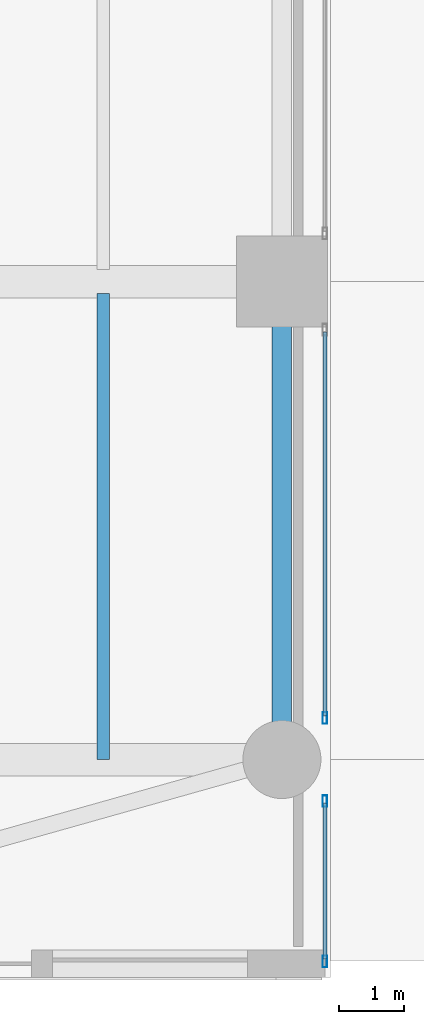
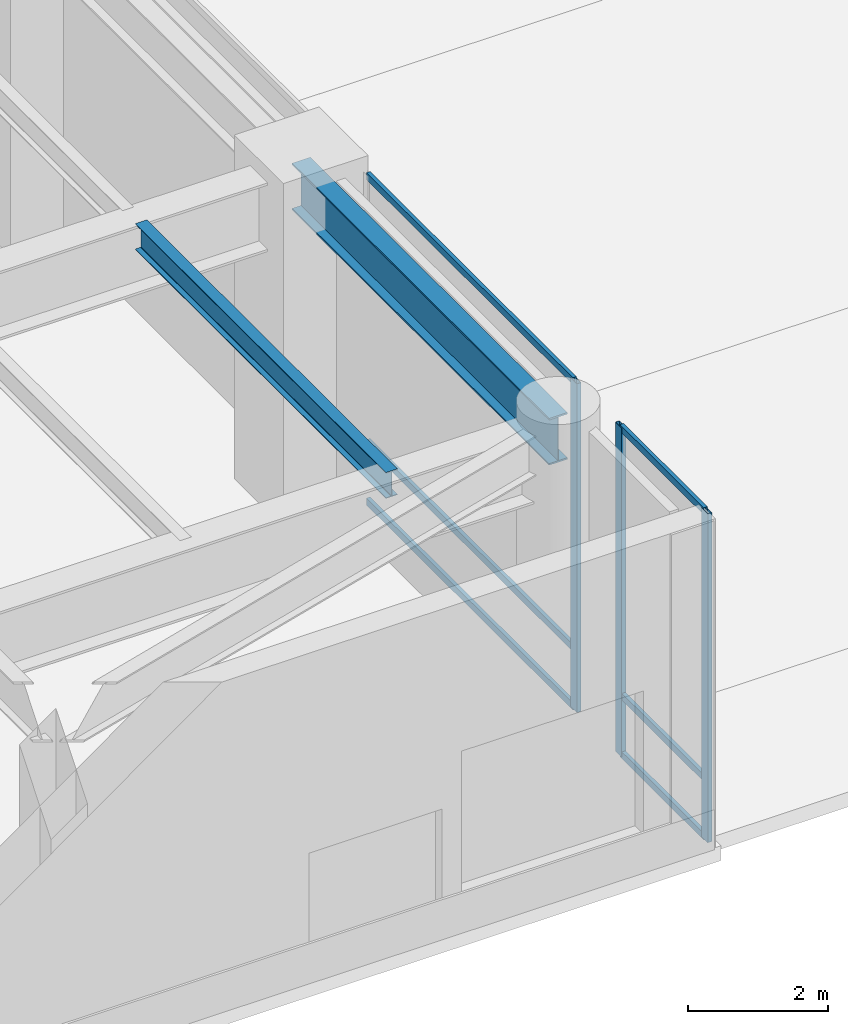
# One storey, part 2 of 28: 9 members, 2 beams, 2 elements without a shape of their own.
"""IFC4 building model written with IfcOpenShell, lengths in metres."""

from ifc_helpers import new_model, si_unit, direction, frame, origin, origin_2d, place, context, subcontext, project, spatial, hollow_rectangle, i_section, extrude, source, transform, mapped, material, layer, layer_set, material_profile, profile_set, type_object, type_shapes, element, aggregate, save


model = new_model("IFC4")

# Units and contexts
model_context = context("Model", 3, precision=1e-05, world=origin(), true_north=direction((0.0, 1.0)))
body_context = subcontext(model_context, "Body", "Model", "MODEL_VIEW")
ifc_project = project(units=[si_unit("LENGTHUNIT", "METRE"), si_unit("AREAUNIT", "SQUARE_METRE"), si_unit("VOLUMEUNIT", "CUBIC_METRE"), si_unit("PLANEANGLEUNIT", "RADIAN"), si_unit("MASSUNIT", "GRAM", prefix="KILO")], contexts=[model_context])

# Site, building, storey
site_placement = place(None, origin())
site = spatial("IfcSite", under=ifc_project, at=site_placement, CompositionType="ELEMENT")
building_placement = place(site_placement, origin())
building = spatial("IfcBuilding", under=site, at=building_placement, Name="Tolvann Quenvar Hotel", CompositionType="ELEMENT")
storey_placement = place(building_placement, origin())
storey = spatial("IfcBuildingStorey", under=building, at=storey_placement, Name="L00", CompositionType="ELEMENT", Elevation=0.0)

# Beams
ifc_material_1 = material(Name="Steel Grade 350", Category="steel")
ifc_material_profile_1 = material_profile(ifc_material_1, i_section(OverallWidth=0.300048828125, OverallDepth=0.81591796875, WebThickness=0.010009765625, FlangeThickness=0.028076171875, at=origin_2d()), Name="800WB192")
ifc_profile_set_1 = profile_set([ifc_material_profile_1], Name="Steel Grade 350")
beam_type_1 = type_object("IfcBeamType", Name="BM_GIRD_800WB192", PredefinedType="BEAM", material=ifc_profile_set_1)
shared_shape_1 = source(origin(), body_context, "Body", "SweptSolid", [
    extrude(i_section(OverallWidth=0.300048828125, OverallDepth=0.81591796875, WebThickness=0.010009765625, FlangeThickness=0.028076171875, at=origin_2d()), origin(), (0.0, 0.0, 1.0), 7.349853515625),
])
type_shapes(beam_type_1, [shared_shape_1])
beam_1_placement = place(storey_placement, frame((18.75, 0.85009765625, 5.33203125), z_axis=(0.0, 1.0, 0.0), x_axis=(-1.0, 0.0, 0.0)))
element("IfcBeam", 1, at=beam_1_placement, inside=storey, type_object=beam_type_1, Name="BM-L00-NS-APW-0", PredefinedType="BEAM", context=body_context, shape_type="MappedRepresentation", body=[
    mapped(shared_shape_1, transform((0.0, 0.0, 0.0), x_axis=(1.0, 0.0, 0.0), y_axis=(0.0, 1.0, 0.0), z_axis=(0.0, 0.0, 1.0), scale=1.0)),
])
ifc_material_profile_2 = material_profile(ifc_material_1, i_section(OverallWidth=0.18994140625, OverallDepth=0.4541015625, WebThickness=0.008544921875, FlangeThickness=0.0126953125, FilletRadius=0.011474609375, at=origin_2d()), Name="460UB67")
ifc_profile_set_2 = profile_set([ifc_material_profile_2], Name="Steel Grade 350")
beam_type_2 = type_object("IfcBeamType", Name="BM_JOIST_460UB67", PredefinedType="JOIST", material=ifc_profile_set_2)
shared_shape_2 = source(origin(), body_context, "Body", "SweptSolid", [
    extrude(i_section(OverallWidth=0.18994140625, OverallDepth=0.4541015625, WebThickness=0.008544921875, FlangeThickness=0.0126953125, FilletRadius=0.011474609375, at=origin_2d()), origin(), (0.0, 0.0, 1.0), 7.164794921875),
])
type_shapes(beam_type_2, [shared_shape_2])
beam_2_placement = place(storey_placement, frame((16.0, 0.85009765625, 5.512939453125), z_axis=(0.0, 1.0, 0.0), x_axis=(-1.0, 0.0, 0.0)))
element("IfcBeam", 2, at=beam_2_placement, inside=storey, type_object=beam_type_2, Name="BJ-L00-160-8", PredefinedType="JOIST", context=body_context, shape_type="MappedRepresentation", body=[
    mapped(shared_shape_2, transform((0.0, 0.0, 0.0), x_axis=(1.0, 0.0, 0.0), y_axis=(0.0, 1.0, 0.0), z_axis=(0.0, 0.0, 1.0), scale=1.0)),
])

# Curtain wall, members
ifc_material_2 = material(Name="Thermally broken anodised architectural aluminium 6063-T6 and laminated low-E glass", Category="aluminium")
ifc_layer = layer(ifc_material_2, 0.179931640625)
ifc_layer_set = layer_set([ifc_layer], Name="Thermally broken anodised architectural aluminium 6063-T6 and laminated low-E glass")
curtain_wall_type = type_object("IfcCurtainWallType", Name="CW_SYS_ARCH_01", PredefinedType="USERDEFINED", material=ifc_layer_set)
curtain_wall_1_placement = place(storey_placement, origin())
curtain_wall_1 = element("IfcCurtainWall", 3, at=curtain_wall_1_placement, inside=storey, type_object=curtain_wall_type, Name="Curtain Wall CW-ARCH-01 (CWR-L00-E01-S1)", ObjectType="UNITISED CURTAIN WALL", PredefinedType="USERDEFINED")
ifc_material_3 = material(Name="Anodised architectural aluminium 6063-T6 framing", Category="aluminium")
ifc_material_profile_3 = material_profile(ifc_material_3, hollow_rectangle(XDim=0.070068359375, YDim=0.179931640625, WallThickness=0.00390625, at=origin_2d()), Name="180x70x4RHS")
ifc_profile_set_3 = profile_set([ifc_material_profile_3], Name="Anodised architectural aluminium 6063-T6 framing")
member_type_1 = type_object("IfcMemberType", Name="CW_MULL_180x70", PredefinedType="MULLION", material=ifc_profile_set_3)
shared_shape_3 = source(origin(), body_context, "Body", "SweptSolid", [
    extrude(hollow_rectangle(XDim=0.070068359375, YDim=0.179931640625, WallThickness=0.00390625, at=origin_2d()), origin(), (0.0, 0.0, 1.0), 5.739990234375),
])
type_shapes(member_type_1, [shared_shape_3])
member_1_placement = place(storey_placement, frame((19.409912109375, -2.2548828125, 0.0), z_axis=(0.0, 0.0, 1.0), x_axis=(-1.0, 0.0, 0.0)))
member_1 = element("IfcMember", 4, at=member_1_placement, type_object=member_type_1, Name="CW-ARCH-01 mullion 1", PredefinedType="MULLION", context=body_context, shape_type="MappedRepresentation", body=[
    mapped(shared_shape_3, transform((0.0, 0.0, 0.0), x_axis=(1.0, 0.0, 0.0), y_axis=(0.0, 1.0, 0.0), z_axis=(0.0, 0.0, 1.0), scale=1.0)),
])
member_2_placement = place(storey_placement, frame((19.409912109375, 0.2109375, 0.0), z_axis=(0.0, 0.0, 1.0), x_axis=(-1.0, 0.0, 0.0)))
member_2 = element("IfcMember", 5, at=member_2_placement, type_object=member_type_1, Name="CW-ARCH-01 mullion 2", PredefinedType="MULLION", context=body_context, shape_type="MappedRepresentation", body=[
    mapped(shared_shape_3, transform((0.0, 0.0, 0.0), x_axis=(1.0, 0.0, 0.0), y_axis=(0.0, 1.0, 0.0), z_axis=(0.0, 0.0, 1.0), scale=1.0)),
])

# Curtain wall, member
curtain_wall_2_placement = place(storey_placement, origin())
curtain_wall_2 = element("IfcCurtainWall", 6, at=curtain_wall_2_placement, inside=storey, type_object=curtain_wall_type, Name="Curtain Wall CW-ARCH-01 (CWR-L00-E01-S2)", ObjectType="UNITISED CURTAIN WALL", PredefinedType="USERDEFINED")
member_3_placement = place(storey_placement, frame((19.409912109375, 1.489013671875, 0.0), z_axis=(0.0, 0.0, 1.0), x_axis=(-1.0, 0.0, 0.0)))
member_3 = element("IfcMember", 7, at=member_3_placement, type_object=member_type_1, Name="CW-ARCH-01 mullion 1", PredefinedType="MULLION", context=body_context, shape_type="MappedRepresentation", body=[
    mapped(shared_shape_3, transform((0.0, 0.0, 0.0), x_axis=(1.0, 0.0, 0.0), y_axis=(0.0, 1.0, 0.0), z_axis=(0.0, 0.0, 1.0), scale=1.0)),
])

# Member
ifc_material_profile_4 = material_profile(ifc_material_3, hollow_rectangle(XDim=0.06005859375, YDim=0.1201171875, WallThickness=0.00341796875, at=origin_2d()), Name="120x60x3.5RHS")
ifc_profile_set_4 = profile_set([ifc_material_profile_4], Name="Anodised architectural aluminium 6063-T6 framing")
member_type_2 = type_object("IfcMemberType", Name="CW_TRAN_120x60", PredefinedType="USERDEFINED", material=ifc_profile_set_4)
shared_shape_4 = source(origin(), body_context, "Body", "SweptSolid", [
    extrude(hollow_rectangle(XDim=0.06005859375, YDim=0.1201171875, WallThickness=0.00341796875, at=origin_2d()), origin(), (0.0, 0.0, 1.0), 2.39599609375),
])
member_4_placement = place(storey_placement, frame((19.409912109375, -2.219970703125, 0.030029296875), z_axis=(0.0, 1.0, 0.0), x_axis=(-1.0, 0.0, 0.0)))
member_4 = element("IfcMember", 8, at=member_4_placement, type_object=member_type_2, Name="CW-ARCH-01 transom 1.1", ObjectType="TRANSOM", PredefinedType="USERDEFINED", context=body_context, shape_type="MappedRepresentation", body=[
    mapped(shared_shape_4, transform((0.0, 0.0, 0.0), x_axis=(1.0, 0.0, 0.0), y_axis=(0.0, 1.0, 0.0), z_axis=(0.0, 0.0, 1.0), scale=1.0)),
])

member_5_placement = place(storey_placement, frame((19.409912109375, -2.219970703125, 1.050048828125), z_axis=(0.0, 1.0, 0.0), x_axis=(-1.0, 0.0, 0.0)))
member_5 = element("IfcMember", 9, at=member_5_placement, type_object=member_type_2, Name="CW-ARCH-01 transom 1.2", ObjectType="TRANSOM", PredefinedType="USERDEFINED", context=body_context, shape_type="MappedRepresentation", body=[
    mapped(shared_shape_4, transform((0.0, 0.0, 0.0), x_axis=(1.0, 0.0, 0.0), y_axis=(0.0, 1.0, 0.0), z_axis=(0.0, 0.0, 1.0), scale=1.0)),
])

member_6_placement = place(storey_placement, frame((19.409912109375, -2.219970703125, 5.7099609375), z_axis=(0.0, 1.0, 0.0), x_axis=(-1.0, 0.0, 0.0)))
member_6 = element("IfcMember", 10, at=member_6_placement, type_object=member_type_2, Name="CW-ARCH-01 transom 1.3", ObjectType="TRANSOM", PredefinedType="USERDEFINED", context=body_context, shape_type="MappedRepresentation", body=[
    mapped(shared_shape_4, transform((0.0, 0.0, 0.0), x_axis=(1.0, 0.0, 0.0), y_axis=(0.0, 1.0, 0.0), z_axis=(0.0, 0.0, 1.0), scale=1.0)),
])

aggregate(curtain_wall_1, [member_1, member_2, member_4, member_5, member_6])

shared_shape_5 = source(origin(), body_context, "Body", "SweptSolid", [
    extrude(hollow_rectangle(XDim=0.06005859375, YDim=0.1201171875, WallThickness=0.00341796875, at=origin_2d()), origin(), (0.0, 0.0, 1.0), 5.902099609375),
])
type_shapes(member_type_2, [shared_shape_4, shared_shape_5])
member_7_placement = place(storey_placement, frame((19.409912109375, 1.52392578125, 0.030029296875), z_axis=(0.0, 1.0, 0.0), x_axis=(-1.0, 0.0, 0.0)))
member_7 = element("IfcMember", 11, at=member_7_placement, type_object=member_type_2, Name="CW-ARCH-01 transom 1.1", ObjectType="TRANSOM", PredefinedType="USERDEFINED", context=body_context, shape_type="MappedRepresentation", body=[
    mapped(shared_shape_5, transform((0.0, 0.0, 0.0), x_axis=(1.0, 0.0, 0.0), y_axis=(0.0, 1.0, 0.0), z_axis=(0.0, 0.0, 1.0), scale=1.0)),
])

member_8_placement = place(storey_placement, frame((19.409912109375, 1.52392578125, 1.050048828125), z_axis=(0.0, 1.0, 0.0), x_axis=(-1.0, 0.0, 0.0)))
member_8 = element("IfcMember", 12, at=member_8_placement, type_object=member_type_2, Name="CW-ARCH-01 transom 1.2", ObjectType="TRANSOM", PredefinedType="USERDEFINED", context=body_context, shape_type="MappedRepresentation", body=[
    mapped(shared_shape_5, transform((0.0, 0.0, 0.0), x_axis=(1.0, 0.0, 0.0), y_axis=(0.0, 1.0, 0.0), z_axis=(0.0, 0.0, 1.0), scale=1.0)),
])

member_9_placement = place(storey_placement, frame((19.409912109375, 1.52392578125, 5.7099609375), z_axis=(0.0, 1.0, 0.0), x_axis=(-1.0, 0.0, 0.0)))
member_9 = element("IfcMember", 13, at=member_9_placement, type_object=member_type_2, Name="CW-ARCH-01 transom 1.3", ObjectType="TRANSOM", PredefinedType="USERDEFINED", context=body_context, shape_type="MappedRepresentation", body=[
    mapped(shared_shape_5, transform((0.0, 0.0, 0.0), x_axis=(1.0, 0.0, 0.0), y_axis=(0.0, 1.0, 0.0), z_axis=(0.0, 0.0, 1.0), scale=1.0)),
])

aggregate(curtain_wall_2, [member_3, member_7, member_8, member_9])

save(model, "model.ifc")
